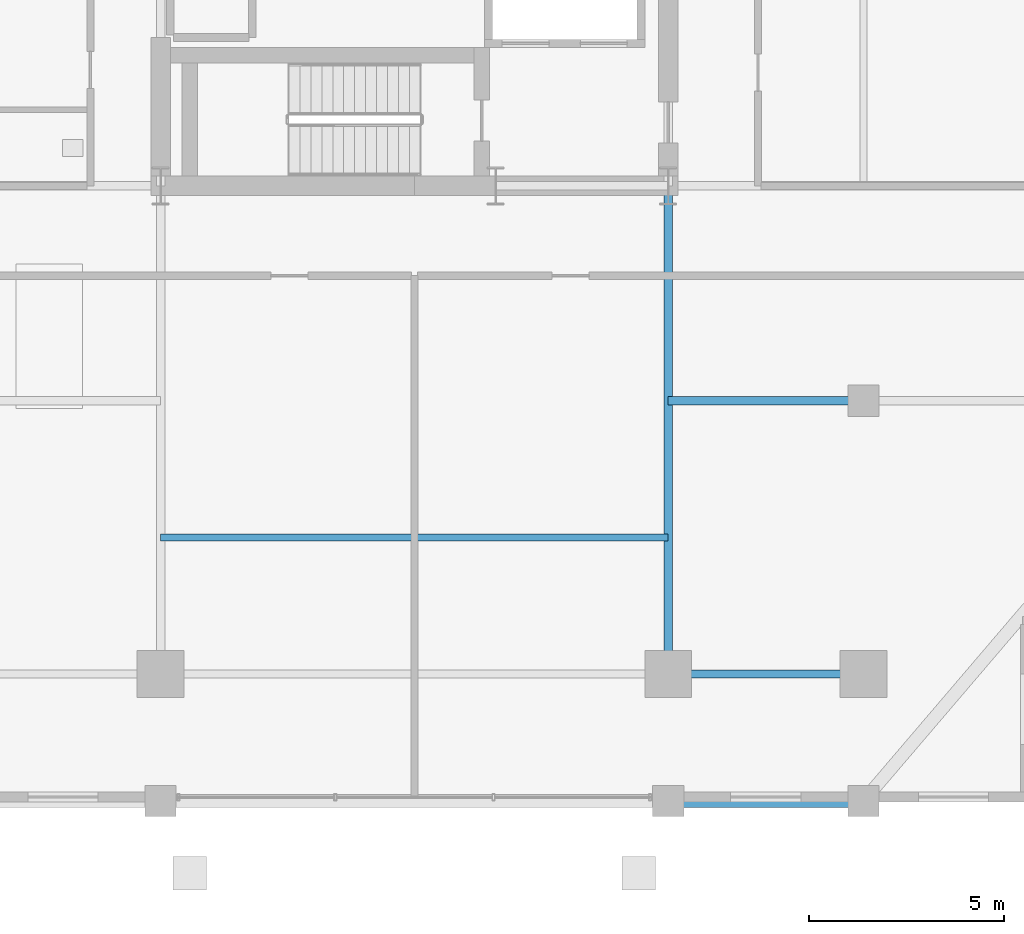
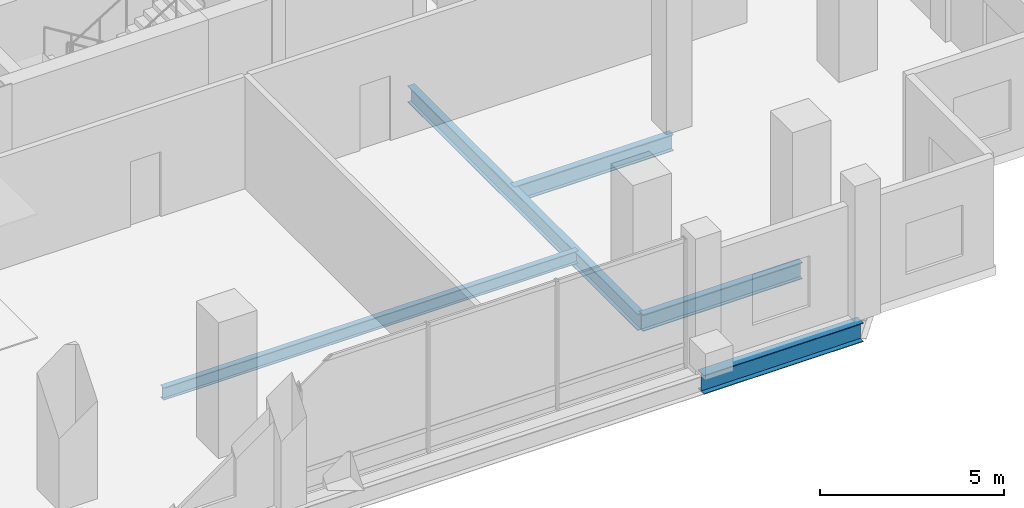
# One storey, part 3 of 19: 5 beams.
"""IFC4 building model written with IfcOpenShell, lengths in metres."""

import ifcopenshell
import ifcopenshell.guid

model = None  # the IFC model being written
_history = None  # IfcOwnerHistory: only IFC2X3 demands one
_inside = {}  # id of a spatial element -> (the spatial element, [elements in it])
_under = {}  # id of a project, library or spatial element -> (it, [spatial elements below it])
_declared = {}  # id of a project -> (the project, [libraries it declares])
_typed = {}  # id of a type object -> (the type object, [elements of that type])
_made_of = {}  # id of a material, layer set ... -> (it, [elements and type objects made of it])


def new_model(schema):
    """Start an empty IFC model of exactly this schema.

    Asked for "IFC4X3", IfcOpenShell would pick the latest addendum, in which some entities
    have other attributes; the version numbers below select the first issue.
    IFC2X3 requires an IfcOwnerHistory on every rooted entity: one is made here for all.
    """
    global model, _history
    if schema == "IFC4X3":
        model = ifcopenshell.file(schema_version=(4, 3, 0, 0))
    else:
        model = ifcopenshell.file(schema=schema)
    _inside.clear()
    _under.clear()
    _declared.clear()
    _typed.clear()
    _made_of.clear()
    _history = None
    if model.schema == "IFC2X3":
        org = make("IfcOrganization", Name="unknown")
        user = make(
            "IfcPersonAndOrganization",
            ThePerson=make("IfcPerson", FamilyName="unknown"),
            TheOrganization=org,
        )
        app = make(
            "IfcApplication",
            ApplicationDeveloper=org,
            Version="unknown",
            ApplicationFullName="unknown",
            ApplicationIdentifier="unknown",
        )
        _history = make(
            "IfcOwnerHistory",
            OwningUser=user,
            OwningApplication=app,
            ChangeAction="ADDED",
            CreationDate=0,
        )
    return model


def make(cls, **values):
    """One entity of the class cls with the attributes given. An attribute that is None is left unset."""
    return model.create_entity(
        cls, **{name: value for name, value in values.items() if value is not None}
    )


def rooted(cls, **values):
    """An entity with a GlobalId (a new one), such as an element, a storey or a relation."""
    return make(cls, GlobalId=ifcopenshell.guid.new(), OwnerHistory=_history, **values)


def si_unit(unit_type, name, prefix=None):
    """IfcSIUnit, for example si_unit("LENGTHUNIT", "METRE", prefix="MILLI")."""
    return make("IfcSIUnit", UnitType=unit_type, Prefix=prefix, Name=name)


def assignment(units):
    """IfcUnitAssignment: the units of a project."""
    return None if units is None else make("IfcUnitAssignment", Units=units)


def point(xyz):
    """IfcCartesianPoint."""
    return None if xyz is None else make("IfcCartesianPoint", Coordinates=xyz)


def direction(xyz):
    """IfcDirection."""
    return None if xyz is None else make("IfcDirection", DirectionRatios=xyz)


def frame(location, z_axis=None, x_axis=None):
    """IfcAxis2Placement3D, a coordinate frame: its origin and axes. An axis left out is left unset."""
    return make(
        "IfcAxis2Placement3D",
        Location=point(location),
        Axis=direction(z_axis),
        RefDirection=direction(x_axis),
    )


def frame_2d(location, x_axis=None):
    """IfcAxis2Placement2D, a coordinate frame in the plane: its origin and x axis."""
    return make(
        "IfcAxis2Placement2D", Location=point(location), RefDirection=direction(x_axis)
    )


def origin():
    """The frame at (0, 0, 0) with its axes left unset."""
    return frame((0.0, 0.0, 0.0))


def origin_2d():
    """The frame at (0, 0) in the plane with its x axis left unset."""
    return frame_2d((0.0, 0.0))


def place(relative_to, where):
    """IfcLocalPlacement: puts the frame where relative to a parent placement (None: the world)."""
    return make(
        "IfcLocalPlacement", PlacementRelTo=relative_to, RelativePlacement=where
    )


def context(
    kind, dimensions, precision=None, world=None, true_north=None, identifier=None
):
    """IfcGeometricRepresentationContext, for example the 3D "Model" context."""
    return make(
        "IfcGeometricRepresentationContext",
        ContextIdentifier=identifier,
        ContextType=kind,
        CoordinateSpaceDimension=dimensions,
        Precision=precision,
        WorldCoordinateSystem=world,
        TrueNorth=true_north,
    )


def subcontext(parent, identifier, kind, view, scale=None):
    """IfcGeometricRepresentationSubContext, for example "Body" below "Model"."""
    return make(
        "IfcGeometricRepresentationSubContext",
        ContextIdentifier=identifier,
        ContextType=kind,
        ParentContext=parent,
        TargetScale=scale,
        TargetView=view,
    )


def project(units=None, contexts=None):
    """IfcProject with its units and contexts."""
    return rooted(
        "IfcProject",
        Name="project",
        RepresentationContexts=contexts,
        UnitsInContext=assignment(units),
    )


def spatial(cls, under=None, at=None, **own):
    """A site, building, storey or space (cls), placed at a placement, below another one or the project."""
    s = rooted(cls, ObjectPlacement=at, **own)
    if under is not None:
        _under.setdefault(under.id(), (under, []))[1].append(s)
    return s


def profile(cls, at=None, kind="AREA", **sizes):
    """A parametric profile (cls). Its sizes go by their IFC names, for example OverallWidth=200.0."""
    return make(cls, ProfileType=kind, Position=at, **sizes)


def i_section(**sizes):
    """IfcIShapeProfileDef."""
    return profile("IfcIShapeProfileDef", **sizes)


def extrude(swept, where, along, depth):
    """IfcExtrudedAreaSolid: the profile swept, set in the frame where, extruded along a direction by depth."""
    return make(
        "IfcExtrudedAreaSolid",
        SweptArea=swept,
        Position=where,
        ExtrudedDirection=direction(along),
        Depth=depth,
    )


def shape(context_of_items, identifier, shape_type, items):
    """IfcShapeRepresentation: the items that make up one representation, for example the "Body"."""
    return make(
        "IfcShapeRepresentation",
        ContextOfItems=context_of_items,
        RepresentationIdentifier=identifier,
        RepresentationType=shape_type,
        Items=items,
    )


def material(Name=None, Category=None):
    """IfcMaterial."""
    return make("IfcMaterial", Name=Name, Category=Category)


def material_profile(
    of_material, cross_section, Name=None, Category=None, Priority=None
):
    """IfcMaterialProfile: a cross section and its material."""
    return make(
        "IfcMaterialProfile",
        Name=Name,
        Material=of_material,
        Profile=cross_section,
        Priority=Priority,
        Category=Category,
    )


def profile_set(profiles, Name=None, composite=None):
    """IfcMaterialProfileSet."""
    return make(
        "IfcMaterialProfileSet",
        Name=Name,
        MaterialProfiles=profiles,
        CompositeProfile=composite,
    )


def made_of(thing, what):
    """Note that an element or type object is made of a material, layer set ...; save() writes the relation."""
    if what is not None:
        _made_of.setdefault(what.id(), (what, []))[1].append(thing)
    return thing


def type_object(cls, material=None, **own):
    """A type object (cls), such as IfcWallType, which elements share."""
    return made_of(rooted(cls, **own), material)


def element(
    cls,
    number,
    at=None,
    inside=None,
    cuts=None,
    type_object=None,
    material=None,
    context=None,
    identifier="Body",
    shape_type=None,
    held_by="IfcProductDefinitionShape",
    body=None,
    shapes=None,
    **own,
):
    """One element of the class cls, such as IfcWall. Its Tag is "e" and its number.

    at: its placement. inside: the storey or other place that contains it. cuts: it is an
    opening in that element (IfcRelVoidsElement). A single representation is given by context,
    identifier, shape_type and body (its items); several are given by shapes. held_by: the class
    of the entity that holds the representations. save() writes the other relations.
    """
    e = rooted(cls, Tag="e%d" % number, ObjectPlacement=at, **own)
    if body is not None:
        shapes = [shape(context, identifier, shape_type, body)]
    if shapes is not None:
        e.Representation = make(held_by, Representations=shapes)
    if inside is not None:
        _inside.setdefault(inside.id(), (inside, []))[1].append(e)
    if cuts is not None:
        rooted(
            "IfcRelVoidsElement", RelatingBuildingElement=cuts, RelatedOpeningElement=e
        )
    if type_object is not None:
        _typed.setdefault(type_object.id(), (type_object, []))[1].append(e)
    return made_of(e, material)


def aggregate(whole, parts):
    """IfcRelAggregates: a whole, such as a stair, and the parts it consists of."""
    return rooted("IfcRelAggregates", RelatingObject=whole, RelatedObjects=parts)


def save(model, path):
    """Write the relations noted so far, then the file.

    IfcRelAggregates (storeys below a building ...), IfcRelContainedInSpatialStructure (elements
    in a storey), IfcRelDefinesByType, IfcRelAssociatesMaterial and IfcRelDeclares: one each for
    every whole, place, type object, material and project.
    """
    for whole, parts in _under.values():
        aggregate(whole, parts)
    for where, things in _inside.values():
        rooted(
            "IfcRelContainedInSpatialStructure",
            RelatedElements=things,
            RelatingStructure=where,
        )
    for kind, things in _typed.values():
        rooted("IfcRelDefinesByType", RelatedObjects=things, RelatingType=kind)
    for what, things in _made_of.values():
        rooted("IfcRelAssociatesMaterial", RelatedObjects=things, RelatingMaterial=what)
    for by, libraries in _declared.values():
        rooted("IfcRelDeclares", RelatingContext=by, RelatedDefinitions=libraries)
    model.write(path)


model = new_model("IFC4")

# Units and contexts
model_context = context("Model", 3, precision=1e-05, world=origin(), true_north=direction((0.0, 1.0)))
body_context = subcontext(model_context, "Body", "Model", "MODEL_VIEW")
ifc_project = project(units=[si_unit("LENGTHUNIT", "METRE"), si_unit("AREAUNIT", "SQUARE_METRE"), si_unit("VOLUMEUNIT", "CUBIC_METRE"), si_unit("PLANEANGLEUNIT", "RADIAN"), si_unit("MASSUNIT", "GRAM", prefix="KILO")], contexts=[model_context])

# Site, building, storey
site_placement = place(None, origin())
site = spatial("IfcSite", under=ifc_project, at=site_placement, CompositionType="ELEMENT")
building_placement = place(site_placement, origin())
building = spatial("IfcBuilding", under=site, at=building_placement, Name="Barlavira Tower and Art Museum", CompositionType="ELEMENT")
storey_placement = place(building_placement, frame((0.0, 0.0, 125.10009765625)))
storey = spatial("IfcBuildingStorey", under=building, at=storey_placement, Name="L31", CompositionType="ELEMENT", Elevation=125.10009765625)

# Beams
ifc_material = material(Name="Steel S355", Category="steel")
ifc_material_profile_1 = material_profile(ifc_material, i_section(OverallWidth=0.327880859375, OverallDepth=0.62890625, WebThickness=0.013916015625, FlangeThickness=0.021484375, at=origin_2d()), Name="W610x174.0")
ifc_profile_set_1 = profile_set([ifc_material_profile_1], Name="Steel S355")
beam_type_1 = type_object("IfcBeamType", Name="Perimeter Spandrel Edge Beam W610x174 Steel S355", PredefinedType="SPANDREL", material=ifc_profile_set_1)
beam_1_placement = place(storey_placement, frame((6.5, -23.25, -0.614501953125), z_axis=(1.0, 0.0, 0.0), x_axis=(0.0, 1.0, 0.0)))
element("IfcBeam", 1, at=beam_1_placement, inside=storey, type_object=beam_type_1, Name="L31 Spandrel 3", PredefinedType="SPANDREL", context=body_context, shape_type="SweptSolid", body=[
    extrude(i_section(OverallWidth=0.327880859375, OverallDepth=0.62890625, WebThickness=0.013916015625, FlangeThickness=0.021484375, at=origin_2d()), origin(), (0.0, 0.0, 1.0), 5.0),
])
ifc_material_profile_2 = material_profile(ifc_material, i_section(OverallWidth=0.214111328125, OverallDepth=0.549072265625, WebThickness=0.0146484375, FlangeThickness=0.023681640625, at=origin_2d()), Name="W530x138.0")
ifc_profile_set_2 = profile_set([ifc_material_profile_2], Name="Steel S355")
beam_type_2 = type_object("IfcBeamType", Name="Zone 1 Primary Floor Girder W530x138 Steel S355", PredefinedType="BEAM", material=ifc_profile_set_2)
beam_2_placement = place(storey_placement, frame((6.5, -20.0, -0.57470703125), z_axis=(1.0, 0.0, 0.0), x_axis=(0.0, 1.0, 0.0)))
element("IfcBeam", 2, at=beam_2_placement, inside=storey, type_object=beam_type_2, Name="L31 Girder M-S3", PredefinedType="BEAM", context=body_context, shape_type="SweptSolid", body=[
    extrude(i_section(OverallWidth=0.214111328125, OverallDepth=0.549072265625, WebThickness=0.0146484375, FlangeThickness=0.023681640625, at=origin_2d()), origin(), (0.0, 0.0, 1.0), 5.0),
])
beam_3_placement = place(storey_placement, frame((6.5, -20.0, -0.57470703125), z_axis=(0.0, 1.0, 0.0), x_axis=(-1.0, 0.0, 0.0)))
element("IfcBeam", 3, at=beam_3_placement, inside=storey, type_object=beam_type_2, Name="L31 Girder R-S2", PredefinedType="BEAM", context=body_context, shape_type="SweptSolid", body=[
    extrude(i_section(OverallWidth=0.214111328125, OverallDepth=0.549072265625, WebThickness=0.0146484375, FlangeThickness=0.023681640625, at=origin_2d()), origin(), (0.0, 0.0, 1.0), 12.5),
])
beam_4_placement = place(storey_placement, frame((6.5, -13.0, -0.57470703125), z_axis=(1.0, 0.0, 0.0), x_axis=(0.0, 1.0, 0.0)))
element("IfcBeam", 4, at=beam_4_placement, inside=storey, type_object=beam_type_2, Name="L31 Girder I-S3", PredefinedType="BEAM", context=body_context, shape_type="SweptSolid", body=[
    extrude(i_section(OverallWidth=0.214111328125, OverallDepth=0.549072265625, WebThickness=0.0146484375, FlangeThickness=0.023681640625, at=origin_2d()), origin(), (0.0, 0.0, 1.0), 5.0),
])
ifc_material_profile_3 = material_profile(ifc_material, i_section(OverallWidth=0.179931640625, OverallDepth=0.4130859375, WebThickness=0.009765625, FlangeThickness=0.01611328125, at=origin_2d()), Name="W410x75.0")
ifc_profile_set_3 = profile_set([ifc_material_profile_3], Name="Steel S355")
beam_type_3 = type_object("IfcBeamType", Name="Zone 2 Composite Floor Joist W410x75 Steel S355", PredefinedType="JOIST", material=ifc_profile_set_3)
beam_5_placement = place(storey_placement, frame((-6.5, -16.5, -0.506591796875), z_axis=(1.0, 0.0, 0.0), x_axis=(0.0, 1.0, 0.0)))
element("IfcBeam", 5, at=beam_5_placement, inside=storey, type_object=beam_type_3, Name="L31 Joist C1", PredefinedType="JOIST", context=body_context, shape_type="SweptSolid", body=[
    extrude(i_section(OverallWidth=0.179931640625, OverallDepth=0.4130859375, WebThickness=0.009765625, FlangeThickness=0.01611328125, at=origin_2d()), origin(), (0.0, 0.0, 1.0), 13.0),
])

save(model, "model.ifc")
